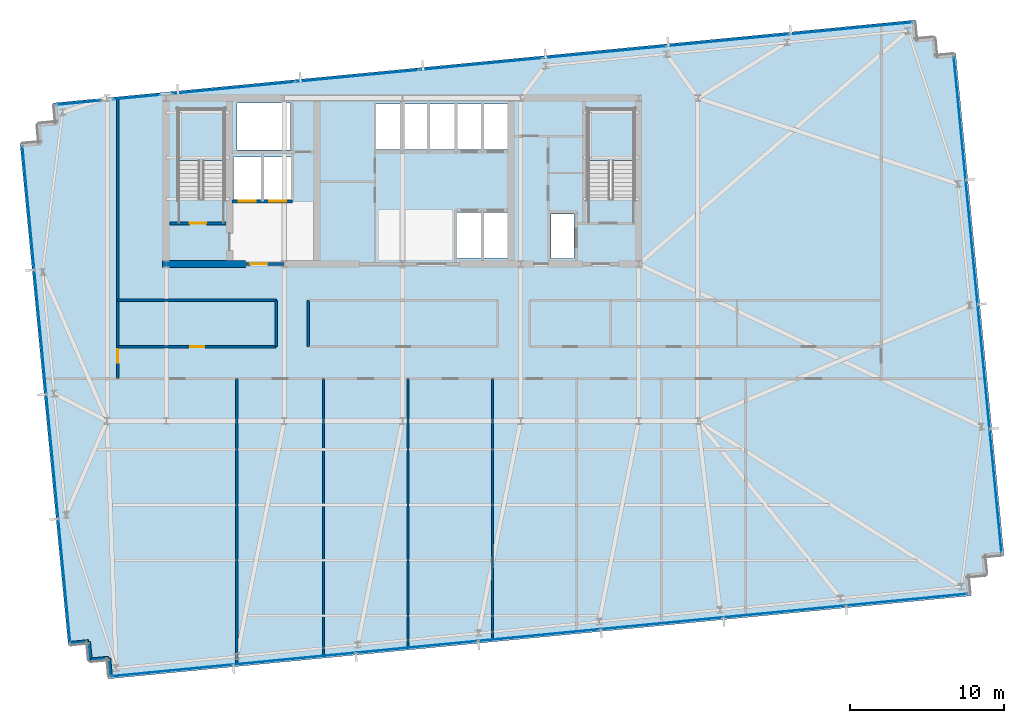
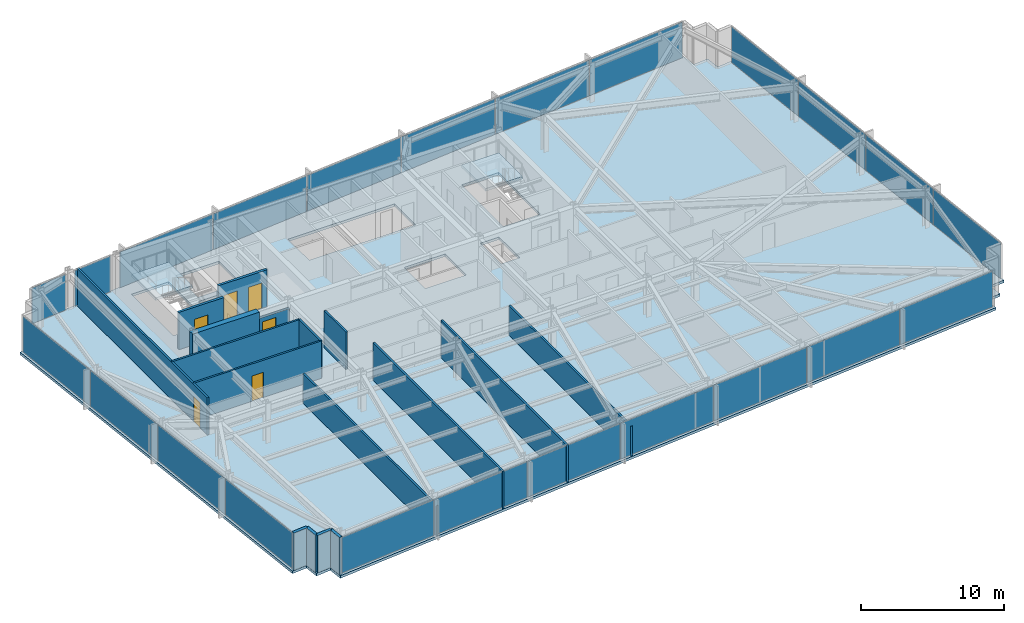
# One storey, part 24 of 32: 23 plates, 17 walls, 6 doors, 3 slabs, 6 openings, 8 elements without a shape of their own.
"""IFC4 building model written with IfcOpenShell, lengths in metres."""

from ifc_helpers import new_model, si_unit, direction, frame, frame_2d, origin, origin_2d, place, context, subcontext, project, spatial, polyline, rectangle, outline, extrude, material, layer, layer_set, type_object, element, fill, aggregate, save


model = new_model("IFC4")

# Units and contexts
model_context = context("Model", 3, precision=1e-05, world=origin(), true_north=direction((0.0, 1.0)))
body_context = subcontext(model_context, "Body", "Model", "MODEL_VIEW")
ifc_project = project(units=[si_unit("LENGTHUNIT", "METRE"), si_unit("AREAUNIT", "SQUARE_METRE"), si_unit("VOLUMEUNIT", "CUBIC_METRE"), si_unit("PLANEANGLEUNIT", "RADIAN"), si_unit("MASSUNIT", "GRAM", prefix="KILO")], contexts=[model_context])

# Site, building, storey
site_placement = place(None, origin())
site = spatial("IfcSite", under=ifc_project, at=site_placement, CompositionType="ELEMENT")
building_placement = place(site_placement, origin())
building = spatial("IfcBuilding", under=site, at=building_placement, Name="Yelkora Congress Tower", CompositionType="ELEMENT")
storey_placement = place(building_placement, frame((0.0, 0.0, 130.5)))
storey = spatial("IfcBuildingStorey", under=building, at=storey_placement, Name="L35", CompositionType="ELEMENT", Elevation=130.5)

# Curtain wall, plates
ifc_material_1 = material(Name="Anodised aluminium and insulated glass", Category="aluminium")
curtain_wall_type = type_object("IfcCurtainWallType", Name="CW-SYS-B2", PredefinedType="NOTDEFINED", material=ifc_material_1)
curtain_wall_1_placement = place(storey_placement, origin())
curtain_wall_1 = element("IfcCurtainWall", 1, at=curtain_wall_1_placement, inside=storey, type_object=curtain_wall_type, Name="L35 Unitised Curtain Wall 5", PredefinedType="NOTDEFINED")
ifc_material_2 = material(Name="Solar-control low-E glass unit B2", Category="glass")
ifc_layer_1 = layer(ifc_material_2, 0.0380859375)
ifc_layer_set_1 = layer_set([ifc_layer_1], Name="Solar-control low-E glass unit B2")
plate_type = type_object("IfcPlateType", Name="PLT-PN-B2", PredefinedType="CURTAIN_PANEL", material=ifc_layer_set_1)
plate_1_placement = place(storey_placement, frame((16.41650390625, 14.820068359375, 0.06494140625), z_axis=(0.0, 0.0, 1.0), x_axis=(-0.095842541913, 0.995396507508, 0.0)))
plate_1 = element("IfcPlate", 2, at=plate_1_placement, type_object=plate_type, Name="CW-B2 panel 1.1", PredefinedType="CURTAIN_PANEL", context=body_context, shape_type="SweptSolid", body=[
    extrude(rectangle(XDim=8.02490234375, YDim=0.0380859375, at=origin_2d()), origin(), (0.0, 0.0, 1.0), 3.050048828125),
])
plate_2_placement = place(storey_placement, frame((15.638916015625, 22.895263671875, 0.06494140625), z_axis=(0.0, 0.0, 1.0), x_axis=(-0.095842541913, 0.995396507508, 0.0)))
plate_2 = element("IfcPlate", 3, at=plate_2_placement, type_object=plate_type, Name="CW-B2 panel 2.1", PredefinedType="CURTAIN_PANEL", context=body_context, shape_type="SweptSolid", body=[
    extrude(rectangle(XDim=8.06005859375, YDim=0.0380859375, at=origin_2d()), origin(), (0.0, 0.0, 1.0), 3.050048828125),
])
plate_3_placement = place(storey_placement, frame((14.859619140625, 30.98779296875, 0.06494140625), z_axis=(0.0, 0.0, 1.0), x_axis=(-0.095842541913, 0.995396507508, 0.0)))
plate_3 = element("IfcPlate", 4, at=plate_3_placement, type_object=plate_type, Name="CW-B2 panel 3.1", PredefinedType="CURTAIN_PANEL", context=body_context, shape_type="SweptSolid", body=[
    extrude(rectangle(XDim=8.06005859375, YDim=0.0380859375, at=origin_2d()), origin(), (0.0, 0.0, 1.0), 3.050048828125),
])
plate_4_placement = place(storey_placement, frame((14.082275390625, 39.06298828125, 0.06494140625), z_axis=(0.0, 0.0, 1.0), x_axis=(-0.095842541913, 0.995396507508, 0.0)))
plate_4 = element("IfcPlate", 5, at=plate_4_placement, type_object=plate_type, Name="CW-B2 panel 4.1", PredefinedType="CURTAIN_PANEL", context=body_context, shape_type="SweptSolid", body=[
    extrude(rectangle(XDim=8.02490234375, YDim=0.0380859375, at=origin_2d()), origin(), (0.0, 0.0, 1.0), 3.050048828125),
])
aggregate(curtain_wall_1, [plate_1, plate_2, plate_3, plate_4])

# Curtain wall, plate
curtain_wall_2_placement = place(storey_placement, origin())
curtain_wall_2 = element("IfcCurtainWall", 6, at=curtain_wall_2_placement, inside=storey, type_object=curtain_wall_type, Name="L35 Unitised Curtain Wall 10 (1)", PredefinedType="NOTDEFINED")
plate_5_placement = place(storey_placement, frame((17.35888671875, 45.89111328125, 0.06494140625), z_axis=(0.0, 0.0, 1.0), x_axis=(0.99539681521, 0.095839346142, 0.0)))
plate_5 = element("IfcPlate", 7, at=plate_5_placement, type_object=plate_type, Name="CW-B2 panel 1.1", PredefinedType="CURTAIN_PANEL", context=body_context, shape_type="SweptSolid", body=[
    extrude(rectangle(XDim=2.89208984375, YDim=0.0380859375, at=origin_2d()), origin(), (0.0, 0.0, 1.0), 3.050048828125),
])
aggregate(curtain_wall_2, [plate_5])

curtain_wall_3_placement = place(storey_placement, origin())
curtain_wall_3 = element("IfcCurtainWall", 8, at=curtain_wall_3_placement, inside=storey, type_object=curtain_wall_type, Name="L35 Unitised Curtain Wall 10 (2)", PredefinedType="NOTDEFINED")
plate_6_placement = place(storey_placement, frame((21.1201171875, 46.253173828125, 0.06494140625), z_axis=(0.0, 0.0, 1.0), x_axis=(0.99539661748, 0.095841399764, 0.0)))
plate_6 = element("IfcPlate", 9, at=plate_6_placement, type_object=plate_type, Name="CW-B2 panel 1.1", PredefinedType="CURTAIN_PANEL", context=body_context, shape_type="SweptSolid", body=[
    extrude(rectangle(XDim=3.05078125, YDim=0.0380859375, at=origin_2d()), origin(), (0.0, 0.0, 1.0), 3.050048828125),
])
aggregate(curtain_wall_3, [plate_6])

# Curtain wall, plates
curtain_wall_4_placement = place(storey_placement, origin())
curtain_wall_4 = element("IfcCurtainWall", 10, at=curtain_wall_4_placement, inside=storey, type_object=curtain_wall_type, Name="L35 Unitised Curtain Wall 10 (3)", PredefinedType="NOTDEFINED")
plate_7_placement = place(storey_placement, frame((27.409423828125, 46.858642578125, 0.06494140625), z_axis=(0.0, 0.0, 1.0), x_axis=(0.995396344153, 0.095844238468, 0.0)))
plate_7 = element("IfcPlate", 11, at=plate_7_placement, type_object=plate_type, Name="CW-B2 panel 1.1", PredefinedType="CURTAIN_PANEL", context=body_context, shape_type="SweptSolid", body=[
    extrude(rectangle(XDim=7.97216796875, YDim=0.0380859375, at=origin_2d()), origin(), (0.0, 0.0, 1.0), 3.050048828125),
])
plate_8_placement = place(storey_placement, frame((35.431884765625, 47.631103515625, 0.06494140625), z_axis=(0.0, 0.0, 1.0), x_axis=(0.995396344153, 0.095844238468, 0.0)))
plate_8 = element("IfcPlate", 12, at=plate_8_placement, type_object=plate_type, Name="CW-B2 panel 2.1", PredefinedType="CURTAIN_PANEL", context=body_context, shape_type="SweptSolid", body=[
    extrude(rectangle(XDim=8.007080078125, YDim=0.0380859375, at=origin_2d()), origin(), (0.0, 0.0, 1.0), 3.050048828125),
])
plate_9_placement = place(storey_placement, frame((43.471923828125, 48.4052734375, 0.06494140625), z_axis=(0.0, 0.0, 1.0), x_axis=(0.995396344153, 0.095844238468, 0.0)))
plate_9 = element("IfcPlate", 13, at=plate_9_placement, type_object=plate_type, Name="CW-B2 panel 3.1", PredefinedType="CURTAIN_PANEL", context=body_context, shape_type="SweptSolid", body=[
    extrude(rectangle(XDim=8.007080078125, YDim=0.0380859375, at=origin_2d()), origin(), (0.0, 0.0, 1.0), 3.050048828125),
])
plate_10_placement = place(storey_placement, frame((51.511962890625, 49.179443359375, 0.06494140625), z_axis=(0.0, 0.0, 1.0), x_axis=(0.995396344153, 0.095844238468, 0.0)))
plate_10 = element("IfcPlate", 14, at=plate_10_placement, type_object=plate_type, Name="CW-B2 panel 4.1", PredefinedType="CURTAIN_PANEL", context=body_context, shape_type="SweptSolid", body=[
    extrude(rectangle(XDim=8.007080078125, YDim=0.0380859375, at=origin_2d()), origin(), (0.0, 0.0, 1.0), 3.050048828125),
])
plate_11_placement = place(storey_placement, frame((59.552001953125, 49.95361328125, 0.06494140625), z_axis=(0.0, 0.0, 1.0), x_axis=(0.995396344153, 0.095844238468, 0.0)))
plate_11 = element("IfcPlate", 15, at=plate_11_placement, type_object=plate_type, Name="CW-B2 panel 5.1", PredefinedType="CURTAIN_PANEL", context=body_context, shape_type="SweptSolid", body=[
    extrude(rectangle(XDim=8.007080078125, YDim=0.0380859375, at=origin_2d()), origin(), (0.0, 0.0, 1.0), 3.050048828125),
])
plate_12_placement = place(storey_placement, frame((67.574462890625, 50.72607421875, 0.06494140625), z_axis=(0.0, 0.0, 1.0), x_axis=(0.995396344153, 0.095844238468, 0.0)))
plate_12 = element("IfcPlate", 16, at=plate_12_placement, type_object=plate_type, Name="CW-B2 panel 6.1", PredefinedType="CURTAIN_PANEL", context=body_context, shape_type="SweptSolid", body=[
    extrude(rectangle(XDim=7.97216796875, YDim=0.0380859375, at=origin_2d()), origin(), (0.0, 0.0, 1.0), 3.050048828125),
])
aggregate(curtain_wall_4, [plate_7, plate_8, plate_9, plate_10, plate_11, plate_12])

curtain_wall_5_placement = place(storey_placement, origin())
curtain_wall_5 = element("IfcCurtainWall", 17, at=curtain_wall_5_placement, inside=storey, type_object=curtain_wall_type, Name="L35 Unitised Curtain Wall 15", PredefinedType="NOTDEFINED")
plate_13_placement = place(storey_placement, frame((74.6220703125, 44.892333984375, 0.06494140625), z_axis=(0.0, 0.0, 1.0), x_axis=(0.095842541913, -0.995396507508, 0.0)))
plate_13 = element("IfcPlate", 18, at=plate_13_placement, type_object=plate_type, Name="CW-B2 panel 1.1", PredefinedType="CURTAIN_PANEL", context=body_context, shape_type="SweptSolid", body=[
    extrude(rectangle(XDim=8.02490234375, YDim=0.0380859375, at=origin_2d()), origin(), (0.0, 0.0, 1.0), 3.050048828125),
])
plate_14_placement = place(storey_placement, frame((75.399658203125, 36.817138671875, 0.06494140625), z_axis=(0.0, 0.0, 1.0), x_axis=(0.095842541913, -0.995396507508, 0.0)))
plate_14 = element("IfcPlate", 19, at=plate_14_placement, type_object=plate_type, Name="CW-B2 panel 2.1", PredefinedType="CURTAIN_PANEL", context=body_context, shape_type="SweptSolid", body=[
    extrude(rectangle(XDim=8.06005859375, YDim=0.0380859375, at=origin_2d()), origin(), (0.0, 0.0, 1.0), 3.050048828125),
])
plate_15_placement = place(storey_placement, frame((76.178955078125, 28.724609375, 0.06494140625), z_axis=(0.0, 0.0, 1.0), x_axis=(0.095842541913, -0.995396507508, 0.0)))
plate_15 = element("IfcPlate", 20, at=plate_15_placement, type_object=plate_type, Name="CW-B2 panel 3.1", PredefinedType="CURTAIN_PANEL", context=body_context, shape_type="SweptSolid", body=[
    extrude(rectangle(XDim=8.06005859375, YDim=0.0380859375, at=origin_2d()), origin(), (0.0, 0.0, 1.0), 3.050048828125),
])
plate_16_placement = place(storey_placement, frame((76.95654296875, 20.6494140625, 0.06494140625), z_axis=(0.0, 0.0, 1.0), x_axis=(0.095842541913, -0.995396507508, 0.0)))
plate_16 = element("IfcPlate", 21, at=plate_16_placement, type_object=plate_type, Name="CW-B2 panel 4.1", PredefinedType="CURTAIN_PANEL", context=body_context, shape_type="SweptSolid", body=[
    extrude(rectangle(XDim=8.02490234375, YDim=0.0380859375, at=origin_2d()), origin(), (0.0, 0.0, 1.0), 3.050048828125),
])
aggregate(curtain_wall_5, [plate_13, plate_14, plate_15, plate_16])

curtain_wall_6_placement = place(storey_placement, origin())
curtain_wall_6 = element("IfcCurtainWall", 22, at=curtain_wall_6_placement, inside=storey, type_object=curtain_wall_type, Name="L35 Unitised Curtain Wall 20", PredefinedType="NOTDEFINED")
plate_17_placement = place(storey_placement, frame((71.1884765625, 13.58154296875, 0.06494140625), z_axis=(0.0, 0.0, 1.0), x_axis=(-0.995396333816, -0.095844345816, 0.0)))
plate_17 = element("IfcPlate", 23, at=plate_17_placement, type_object=plate_type, Name="CW-B2 panel 1.1", PredefinedType="CURTAIN_PANEL", context=body_context, shape_type="SweptSolid", body=[
    extrude(rectangle(XDim=7.89794921875, YDim=0.0380859375, at=origin_2d()), origin(), (0.0, 0.0, 1.0), 3.050048828125),
])
plate_18_placement = place(storey_placement, frame((63.23974609375, 12.816162109375, 0.06494140625), z_axis=(0.0, 0.0, 1.0), x_axis=(-0.995396333816, -0.095844345816, 0.0)))
plate_18 = element("IfcPlate", 24, at=plate_18_placement, type_object=plate_type, Name="CW-B2 panel 2.1", PredefinedType="CURTAIN_PANEL", context=body_context, shape_type="SweptSolid", body=[
    extrude(rectangle(XDim=7.932861328125, YDim=0.0380859375, at=origin_2d()), origin(), (0.0, 0.0, 1.0), 3.050048828125),
])
plate_19_placement = place(storey_placement, frame((55.273681640625, 12.049072265625, 0.06494140625), z_axis=(0.0, 0.0, 1.0), x_axis=(-0.995396333816, -0.095844345816, 0.0)))
plate_19 = element("IfcPlate", 25, at=plate_19_placement, type_object=plate_type, Name="CW-B2 panel 3.1", PredefinedType="CURTAIN_PANEL", context=body_context, shape_type="SweptSolid", body=[
    extrude(rectangle(XDim=7.932861328125, YDim=0.0380859375, at=origin_2d()), origin(), (0.0, 0.0, 1.0), 3.050048828125),
])
plate_20_placement = place(storey_placement, frame((47.307861328125, 11.281982421875, 0.06494140625), z_axis=(0.0, 0.0, 1.0), x_axis=(-0.995396333816, -0.095844345816, 0.0)))
plate_20 = element("IfcPlate", 26, at=plate_20_placement, type_object=plate_type, Name="CW-B2 panel 4.1", PredefinedType="CURTAIN_PANEL", context=body_context, shape_type="SweptSolid", body=[
    extrude(rectangle(XDim=7.932861328125, YDim=0.0380859375, at=origin_2d()), origin(), (0.0, 0.0, 1.0), 3.050048828125),
])
plate_21_placement = place(storey_placement, frame((39.341796875, 10.51513671875, 0.06494140625), z_axis=(0.0, 0.0, 1.0), x_axis=(-0.995396333816, -0.095844345816, 0.0)))
plate_21 = element("IfcPlate", 27, at=plate_21_placement, type_object=plate_type, Name="CW-B2 panel 5.1", PredefinedType="CURTAIN_PANEL", context=body_context, shape_type="SweptSolid", body=[
    extrude(rectangle(XDim=7.932861328125, YDim=0.0380859375, at=origin_2d()), origin(), (0.0, 0.0, 1.0), 3.050048828125),
])
plate_22_placement = place(storey_placement, frame((31.375732421875, 9.748046875, 0.06494140625), z_axis=(0.0, 0.0, 1.0), x_axis=(-0.995396333816, -0.095844345816, 0.0)))
plate_22 = element("IfcPlate", 28, at=plate_22_placement, type_object=plate_type, Name="CW-B2 panel 6.1", PredefinedType="CURTAIN_PANEL", context=body_context, shape_type="SweptSolid", body=[
    extrude(rectangle(XDim=7.932861328125, YDim=0.0380859375, at=origin_2d()), origin(), (0.0, 0.0, 1.0), 3.050048828125),
])
plate_23_placement = place(storey_placement, frame((23.42724609375, 8.982666015625, 0.06494140625), z_axis=(0.0, 0.0, 1.0), x_axis=(-0.995396333816, -0.095844345816, 0.0)))
plate_23 = element("IfcPlate", 29, at=plate_23_placement, type_object=plate_type, Name="CW-B2 panel 7.1", PredefinedType="CURTAIN_PANEL", context=body_context, shape_type="SweptSolid", body=[
    extrude(rectangle(XDim=7.89794921875, YDim=0.0380859375, at=origin_2d()), origin(), (0.0, 0.0, 1.0), 3.050048828125),
])
aggregate(curtain_wall_6, [plate_17, plate_18, plate_19, plate_20, plate_21, plate_22, plate_23])

# Stair, slab
ifc_material_3 = material(Name="Concrete C40/50", Category="concrete")
stair_type = type_object("IfcStairType", Name="STAIR-HT-1420-R20-170", PredefinedType="HALF_TURN_STAIR", material=ifc_material_3)
stair_1_placement = place(storey_placement, origin())
stair_1 = element("IfcStair", 30, at=stair_1_placement, inside=storey, type_object=stair_type, Name="West Core Protected Exit Stair ST-01 (L35)", PredefinedType="HALF_TURN_STAIR")
ifc_layer_2 = layer(ifc_material_3, 0.219970703125)
ifc_layer_set_2 = layer_set([ifc_layer_2], Name="Concrete C40/50")
slab_type_1 = type_object("IfcSlabType", Name="SLAB-LANDING-220", PredefinedType="LANDING", material=ifc_layer_set_2)
slab_1_placement = place(storey_placement, frame((0.0, 0.0, 1.47998046875)))
slab_1 = element("IfcSlab", 31, at=slab_1_placement, type_object=slab_type_1, Name="ST-01 L35 Half Landing 1", PredefinedType="LANDING", context=body_context, shape_type="SweptSolid", body=[
    extrude(outline(polyline([(26.820068359375, 42.1201171875), (26.820068359375, 45.469970703125), (23.820068359375, 45.469970703125), (23.820068359375, 42.1201171875), (26.820068359375, 42.1201171875)])), origin(), (0.0, 0.0, 1.0), 0.219970703125),
])
aggregate(stair_1, [slab_1])

stair_2_placement = place(storey_placement, origin())
stair_2 = element("IfcStair", 32, at=stair_2_placement, inside=storey, type_object=stair_type, Name="East Core Protected Exit Stair ST-02 (L35)", PredefinedType="HALF_TURN_STAIR")
slab_2_placement = place(storey_placement, frame((0.0, 0.0, 1.47998046875)))
slab_2 = element("IfcSlab", 33, at=slab_2_placement, type_object=slab_type_1, Name="ST-02 L35 Half Landing 1", PredefinedType="LANDING", context=body_context, shape_type="SweptSolid", body=[
    extrude(outline(polyline([(53.4599609375, 42.1201171875), (53.4599609375, 45.469970703125), (50.4599609375, 45.469970703125), (50.4599609375, 42.1201171875), (53.4599609375, 42.1201171875)])), origin(), (0.0, 0.0, 1.0), 0.219970703125),
])
aggregate(stair_2, [slab_2])

# Slab
ifc_layer_3 = layer(ifc_material_3, 0.219970703125)
ifc_layer_set_3 = layer_set([ifc_layer_3], Name="Concrete C40/50")
slab_type_2 = type_object("IfcSlabType", Name="SLAB-TWR-220", PredefinedType="FLOOR", material=ifc_layer_set_3)
slab_3_placement = place(storey_placement, frame((0.0, 0.0, -0.219970703125)))
element("IfcSlab", 34, at=slab_3_placement, inside=storey, type_object=slab_type_2, Name="L35 Structural Floor Slab", PredefinedType="FLOOR", context=body_context, shape_type="SweptSolid", body=[
    extrude(outline(polyline([(19.30078125, 8.444580078125), (75.341552734375, 13.8408203125), (75.2265625, 15.035400390625), (76.421142578125, 15.150390625), (76.30615234375, 16.3447265625), (77.50048828125, 16.459716796875), (74.356689453125, 49.10888671875), (73.162353515625, 48.99365234375), (73.04736328125, 50.188232421875), (71.852783203125, 50.0732421875), (71.73779296875, 51.267578125), (15.697021484375, 45.87158203125), (15.81201171875, 44.677001953125), (14.61767578125, 44.56201171875), (14.732666015625, 43.36767578125), (13.5380859375, 43.252685546875), (16.681884765625, 10.603515625), (17.876220703125, 10.718505859375), (17.9912109375, 9.524169921875), (19.185791015625, 9.63916015625), (19.30078125, 8.444580078125)]), holes=[polyline([(23.820068359375, 39.6298828125), (26.820068359375, 39.6298828125), (26.820068359375, 45.469970703125), (23.820068359375, 45.469970703125), (23.820068359375, 39.6298828125)]), polyline([(50.4599609375, 39.6298828125), (53.4599609375, 39.6298828125), (53.4599609375, 45.469970703125), (50.4599609375, 45.469970703125), (50.4599609375, 39.6298828125)]), polyline([(48.050048828125, 35.75), (49.550048828125, 35.75), (49.550048828125, 38.64990234375), (48.050048828125, 38.64990234375), (48.050048828125, 35.75)]), polyline([(36.64990234375, 42.85009765625), (45.25, 42.85009765625), (45.25, 45.800048828125), (36.64990234375, 45.800048828125), (36.64990234375, 42.85009765625)]), polyline([(41.949951171875, 35.800048828125), (45.25, 35.800048828125), (45.25, 38.75), (41.949951171875, 38.75), (41.949951171875, 35.800048828125)]), polyline([(27.419921875, 39.60009765625), (31.179931640625, 39.60009765625), (31.179931640625, 42.35009765625), (27.419921875, 42.35009765625), (27.419921875, 39.60009765625)]), polyline([(27.64990234375, 42.820068359375), (31.1201171875, 42.820068359375), (31.1201171875, 45.8798828125), (27.64990234375, 45.8798828125), (27.64990234375, 42.820068359375)])]), origin(), (0.0, 0.0, 1.0), 0.219970703125),
])

# Walls
ifc_material_4 = material(Name="Concrete C60/75", Category="concrete")
ifc_layer_4 = layer(ifc_material_4, 0.449951171875)
ifc_layer_set_4 = layer_set([ifc_layer_4], Name="Concrete C60/75")
wall_type_1 = type_object("IfcWallType", Name="WALL-CORE-INT-450", PredefinedType="SHEAR", material=ifc_layer_set_4)
wall_1_placement = place(storey_placement, frame((22.81494140625, 35.39990234375, 0.0), z_axis=(0.0, 0.0, 1.0), x_axis=(1.0, 0.0, 0.0)))
element("IfcWall", 35, at=wall_1_placement, inside=storey, type_object=wall_type_1, Name="L35 Rear Core South-West Shear Wall", PredefinedType="SHEAR", context=body_context, shape_type="SweptSolid", body=[
    extrude(rectangle(XDim=5.385009765625, YDim=0.449951171875, at=frame_2d((2.6923828125, 0.0))), origin(), (0.0, 0.0, 1.0), 3.179931640625),
])
ifc_layer_5 = layer(ifc_material_3, 0.239990234375)
ifc_layer_set_5 = layer_set([ifc_layer_5], Name="Concrete C40/50")
wall_type_2 = type_object("IfcWallType", Name="WALL-EXT-LIMESTONE-240", PredefinedType="SOLIDWALL", material=ifc_layer_set_5)
for number, where, z_axis, x_axis, name in (
    (36, (19.4267578125, 8.597412109375, 0.0), (0.0, 0.0, 1.0), (-0.095817067274, 0.995398960025, 0.0), "L35 Serrated Corner Limestone Pier 1"),
    (37, (19.311767578125, 9.7919921875, 0.0), (0.0, 0.0, 1.0), (-0.995398960025, -0.095817067274, 0.0), "L35 Serrated Corner Limestone Pier 2"),
):
    element("IfcWall", number, at=place(storey_placement, frame(where, z_axis=z_axis, x_axis=x_axis)), inside=storey, type_object=wall_type_2, Name=name, PredefinedType="SOLIDWALL", context=body_context, shape_type="SweptSolid", body=[
        extrude(rectangle(XDim=1.2001953125, YDim=0.239990234375, at=frame_2d((0.60009765625, 0.0))), origin(), (0.0, 0.0, 1.0), 3.179931640625),
    ])
wall_2_placement = place(storey_placement, frame((18.1171875, 9.677001953125, 0.0), z_axis=(0.0, 0.0, 1.0), x_axis=(-0.095836473879, 0.995397091755, 0.0)))
element("IfcWall", 38, at=wall_2_placement, inside=storey, type_object=wall_type_2, Name="L35 Serrated Corner Limestone Pier 3", PredefinedType="SOLIDWALL", context=body_context, shape_type="SweptSolid", body=[
    extrude(rectangle(XDim=1.199951171875, YDim=0.239990234375, at=frame_2d((0.60009765625, 0.0))), origin(), (0.0, 0.0, 1.0), 3.179931640625),
])
wall_3_placement = place(storey_placement, frame((18.002197265625, 10.871337890625, 0.0), z_axis=(0.0, 0.0, 1.0), x_axis=(-0.995398960025, -0.095817067274, 0.0)))
element("IfcWall", 39, at=wall_3_placement, inside=storey, type_object=wall_type_2, Name="L35 Serrated Corner Limestone Pier 4", PredefinedType="SOLIDWALL", context=body_context, shape_type="SweptSolid", body=[
    extrude(rectangle(XDim=1.2001953125, YDim=0.239990234375, at=frame_2d((0.60009765625, 0.0))), origin(), (0.0, 0.0, 1.0), 3.179931640625),
])
ifc_material_5 = material(Name="Acoustic metal-stud gypsum partition", Category="gypsum")
ifc_layer_6 = layer(ifc_material_5, 0.14990234375)
ifc_layer_set_6 = layer_set([ifc_layer_6], Name="Acoustic metal-stud gypsum partition")
wall_type_3 = type_object("IfcWallType", Name="WALL-INT-150-NR", PredefinedType="PARTITIONING", material=ifc_layer_set_6)
wall_4_placement = place(storey_placement, frame((27.635009765625, 9.32763671875, 0.0), z_axis=(0.0, 0.0, 1.0), x_axis=(0.0, 1.0, 0.0)))
element("IfcWall", 40, at=wall_4_placement, inside=storey, type_object=wall_type_3, Name="L35 Partition Wall 27", PredefinedType="PARTITIONING", context=body_context, shape_type="SweptSolid", body=[
    extrude(rectangle(XDim=18.642333984375, YDim=0.14990234375, at=frame_2d((9.3212890625, 0.0))), origin(), (0.0, 0.0, 1.0), 2.52490234375),
])
wall_5_placement = place(storey_placement, frame((33.27197265625, 9.870361328125, 0.0), z_axis=(0.0, 0.0, 1.0), x_axis=(0.0, 1.0, 0.0)))
element("IfcWall", 41, at=wall_5_placement, inside=storey, type_object=wall_type_3, Name="L35 Partition Wall 28", PredefinedType="PARTITIONING", context=body_context, shape_type="SweptSolid", body=[
    extrude(rectangle(XDim=18.099609375, YDim=0.14990234375, at=frame_2d((9.0498046875, 0.0))), origin(), (0.0, 0.0, 1.0), 3.179931640625),
])
wall_6_placement = place(storey_placement, frame((38.759033203125, 10.398681640625, 0.0), z_axis=(0.0, 0.0, 1.0), x_axis=(0.0, 1.0, 0.0)))
element("IfcWall", 42, at=wall_6_placement, inside=storey, type_object=wall_type_3, Name="L35 Partition Wall 29", PredefinedType="PARTITIONING", context=body_context, shape_type="SweptSolid", body=[
    extrude(rectangle(XDim=17.5712890625, YDim=0.14990234375, at=frame_2d((8.78564453125, 0.0))), origin(), (0.0, 0.0, 1.0), 3.179931640625),
])
wall_7_placement = place(storey_placement, frame((44.24609375, 10.927001953125, 0.0), z_axis=(0.0, 0.0, 1.0), x_axis=(0.0, 1.0, 0.0)))
element("IfcWall", 43, at=wall_7_placement, inside=storey, type_object=wall_type_3, Name="L35 Partition Wall 30", PredefinedType="PARTITIONING", context=body_context, shape_type="SweptSolid", body=[
    extrude(rectangle(XDim=17.04296875, YDim=0.14990234375, at=frame_2d((8.521484375, 0.0))), origin(), (0.0, 0.0, 1.0), 2.52490234375),
])

# Wall, opening, door
wall_8_placement = place(storey_placement, frame((19.89208984375, 27.949951171875, 0.0), z_axis=(0.0, 0.0, 1.0), x_axis=(0.0, 1.0, 0.0)))
wall_8 = element("IfcWall", 44, at=wall_8_placement, inside=storey, type_object=wall_type_3, Name="L35 Partition Wall 35", PredefinedType="PARTITIONING", context=body_context, shape_type="SweptSolid", body=[
    extrude(rectangle(XDim=18.245361328125, YDim=0.14990234375, at=frame_2d((9.12255859375, 0.0))), origin(), (0.0, 0.0, 1.0), 3.179931640625),
])
opening_1_placement = place(wall_8_placement, frame((1.030029296875, 0.0, 0.0)))
opening_1 = element("IfcOpeningElement", 45, at=opening_1_placement, cuts=wall_8, Name="Opening DR-090N", PredefinedType="OPENING", context=body_context, shape_type="SweptSolid", body=[
    extrude(rectangle(XDim=0.89990234375, YDim=2.14990234375, at=frame_2d((0.449951171875, 1.074951171875))), frame((0.0, 0.0849609375, 0.0), z_axis=(0.0, -1.0, 0.0), x_axis=(1.0, 0.0, 0.0)), (0.0, 0.0, 1.0), 0.169921875),
])
ifc_material_6 = material(Name="Moisture-resistant laminate door leaf", Category="wood")
door_type_1 = type_object("IfcDoorType", Name="DOOR-INT-900", OperationType="NOTDEFINED", PredefinedType="DOOR", material=ifc_material_6)
door_1_placement = place(opening_1_placement, origin())
door_1 = element("IfcDoor", 46, at=door_1_placement, inside=storey, type_object=door_type_1, Name="L35 W Wing Door", OperationType="SINGLE_SWING_LEFT", OverallHeight=2.14990234375, OverallWidth=0.89990234375, PredefinedType="DOOR", context=body_context, shape_type="SweptSolid", body=[
    extrude(rectangle(XDim=0.89990234375, YDim=2.14990234375, at=frame_2d((0.449951171875, 1.074951171875))), frame((0.0, 0.02490234375, 0.0), z_axis=(0.0, -1.0, 0.0), x_axis=(1.0, 0.0, 0.0)), (0.0, 0.0, 1.0), 0.050048828125),
])
fill(opening_1, door_1)

# Walls
for number, where, z_axis, x_axis, name in (
    (47, (30.199951171875, 30.030029296875, 0.0), (0.0, 0.0, 1.0), (0.0, 1.0, 0.0), "L35 Partition Wall 37"),
    (48, (32.280029296875, 30.030029296875, 0.0), (0.0, 0.0, 1.0), (0.0, 1.0, 0.0), "L35 Partition Wall 38"),
):
    element("IfcWall", number, at=place(storey_placement, frame(where, z_axis=z_axis, x_axis=x_axis)), inside=storey, type_object=wall_type_3, Name=name, PredefinedType="PARTITIONING", context=body_context, shape_type="SweptSolid", body=[
        extrude(rectangle(XDim=3.02001953125, YDim=0.14990234375, at=frame_2d((1.510009765625, 0.0))), origin(), (0.0, 0.0, 1.0), 3.179931640625),
    ])
wall_9_placement = place(storey_placement, frame((19.89208984375, 33.050048828125, 0.0), z_axis=(0.0, 0.0, 1.0), x_axis=(1.0, 0.0, 0.0)))
element("IfcWall", 49, at=wall_9_placement, inside=storey, type_object=wall_type_3, Name="L35 Partition Wall 41", PredefinedType="PARTITIONING", context=body_context, shape_type="SweptSolid", body=[
    extrude(rectangle(XDim=10.307861328125, YDim=0.14990234375, at=frame_2d((5.15380859375, 0.0))), origin(), (0.0, 0.0, 1.0), 3.179931640625),
])

# Wall, opening, door
wall_10_placement = place(storey_placement, frame((19.912109375, 30.030029296875, 0.0), z_axis=(0.0, 0.0, 1.0), x_axis=(1.0, 0.0, 0.0)))
wall_10 = element("IfcWall", 50, at=wall_10_placement, inside=storey, type_object=wall_type_3, Name="L35 Partition Wall 44", PredefinedType="PARTITIONING", context=body_context, shape_type="SweptSolid", body=[
    extrude(rectangle(XDim=10.27783203125, YDim=0.14990234375, at=frame_2d((5.138916015625, 0.0))), origin(), (0.0, 0.0, 1.0), 3.179931640625),
])
opening_2_placement = place(wall_10_placement, frame((4.68896484375, 0.0, 0.0)))
opening_2 = element("IfcOpeningElement", 51, at=opening_2_placement, cuts=wall_10, Name="Opening DR-090N", PredefinedType="OPENING", context=body_context, shape_type="SweptSolid", body=[
    extrude(rectangle(XDim=0.89990234375, YDim=2.14990234375, at=frame_2d((0.449951171875, 1.074951171875))), frame((0.0, 0.0849609375, 0.0), z_axis=(0.0, -1.0, 0.0), x_axis=(1.0, 0.0, 0.0)), (0.0, 0.0, 1.0), 0.169921875),
])
door_2_placement = place(opening_2_placement, origin())
door_2 = element("IfcDoor", 52, at=door_2_placement, inside=storey, type_object=door_type_1, Name="L35 Executive Club Bar Door", OperationType="SINGLE_SWING_LEFT", OverallHeight=2.14990234375, OverallWidth=0.89990234375, PredefinedType="DOOR", context=body_context, shape_type="SweptSolid", body=[
    extrude(rectangle(XDim=0.89990234375, YDim=2.14990234375, at=frame_2d((0.449951171875, 1.074951171875))), frame((0.0, 0.02490234375, 0.0), z_axis=(0.0, -1.0, 0.0), x_axis=(1.0, 0.0, 0.0)), (0.0, 0.0, 1.0), 0.050048828125),
])
fill(opening_2, door_2)

ifc_material_7 = material(Name="Autoclaved aerated concrete blockwork", Category="masonry")
ifc_layer_7 = layer(ifc_material_7, 0.199951171875)
ifc_layer_set_7 = layer_set([ifc_layer_7], Name="Autoclaved aerated concrete blockwork")
wall_type_4 = type_object("IfcWallType", Name="WALL-INT-200-R120", PredefinedType="PARTITIONING", material=ifc_layer_set_7)
wall_11_placement = place(storey_placement, frame((23.300048828125, 38.050048828125, 0.0), z_axis=(0.0, 0.0, 1.0), x_axis=(1.0, 0.0, 0.0)))
wall_11 = element("IfcWall", 53, at=wall_11_placement, inside=storey, type_object=wall_type_4, Name="L35 Stair ST-01 Enclosure Wall", PredefinedType="PARTITIONING", context=body_context, shape_type="SweptSolid", body=[
    extrude(rectangle(XDim=3.619873046875, YDim=0.199951171875, at=frame_2d((1.81005859375, 0.0))), origin(), (0.0, 0.0, 1.0), 3.179931640625),
])
opening_3_placement = place(wall_11_placement, frame((1.260009765625, 0.0, 0.0)))
opening_3 = element("IfcOpeningElement", 54, at=opening_3_placement, cuts=wall_11, Name="Opening DR-110F9", PredefinedType="OPENING", context=body_context, shape_type="SweptSolid", body=[
    extrude(rectangle(XDim=1.10009765625, YDim=2.14990234375, at=frame_2d((0.550048828125, 1.074951171875))), frame((0.0, 0.10986328125, 0.0), z_axis=(0.0, -1.0, 0.0), x_axis=(1.0, 0.0, 0.0)), (0.0, 0.0, 1.0), 0.219970703125),
])
ifc_material_8 = material(Name="Galvanised steel fire door leaf", Category="steel")
door_type_2 = type_object("IfcDoorType", Name="DOOR-FD90-1100", OperationType="NOTDEFINED", PredefinedType="DOOR", material=ifc_material_8)
door_3_placement = place(opening_3_placement, origin())
door_3 = element("IfcDoor", 55, at=door_3_placement, inside=storey, type_object=door_type_2, Name="L35 Stair ST-01 Entry Door", OperationType="SINGLE_SWING_LEFT", OverallHeight=2.14990234375, OverallWidth=1.10009765625, PredefinedType="DOOR", context=body_context, shape_type="SweptSolid", body=[
    extrude(rectangle(XDim=1.10009765625, YDim=2.14990234375, at=frame_2d((0.550048828125, 1.074951171875))), frame((0.0, 0.02490234375, 0.0), z_axis=(0.0, -1.0, 0.0), x_axis=(1.0, 0.0, 0.0)), (0.0, 0.0, 1.0), 0.050048828125),
])
fill(opening_3, door_3)

wall_12_placement = place(storey_placement, frame((28.219970703125, 35.39990234375, 0.0), z_axis=(0.0, 0.0, 1.0), x_axis=(1.0, 0.0, 0.0)))
wall_12 = element("IfcWall", 56, at=wall_12_placement, inside=storey, type_object=wall_type_4, Name="L35 Firefighting Lobby South Wall", PredefinedType="PARTITIONING", context=body_context, shape_type="SweptSolid", body=[
    extrude(rectangle(XDim=2.5, YDim=0.199951171875, at=frame_2d((1.25, 0.0))), origin(), (0.0, 0.0, 1.0), 2.52490234375),
])
opening_4_placement = place(wall_12_placement, frame((0.300048828125, 0.0, 0.0)))
opening_4 = element("IfcOpeningElement", 57, at=opening_4_placement, cuts=wall_12, Name="Opening DR-110F9", PredefinedType="OPENING", context=body_context, shape_type="SweptSolid", body=[
    extrude(rectangle(XDim=1.10009765625, YDim=2.14990234375, at=frame_2d((0.550048828125, 1.074951171875))), frame((0.0, 0.10986328125, 0.0), z_axis=(0.0, -1.0, 0.0), x_axis=(1.0, 0.0, 0.0)), (0.0, 0.0, 1.0), 0.219970703125),
])
door_4_placement = place(opening_4_placement, origin())
door_4 = element("IfcDoor", 58, at=door_4_placement, inside=storey, type_object=door_type_2, Name="L35 Firefighting Lobby Corridor Door", OperationType="SINGLE_SWING_RIGHT", OverallHeight=2.14990234375, OverallWidth=1.10009765625, PredefinedType="DOOR", context=body_context, shape_type="SweptSolid", body=[
    extrude(rectangle(XDim=1.10009765625, YDim=2.14990234375, at=frame_2d((0.550048828125, 1.074951171875))), frame((0.0, 0.02490234375, 0.0), z_axis=(0.0, -1.0, 0.0), x_axis=(1.0, 0.0, 0.0)), (0.0, 0.0, 1.0), 0.050048828125),
])
fill(opening_4, door_4)

# Wall, openings, doors
wall_13_placement = place(storey_placement, frame((27.320068359375, 39.47998046875, 0.0), z_axis=(0.0, 0.0, 1.0), x_axis=(1.0, 0.0, 0.0)))
wall_13 = element("IfcWall", 59, at=wall_13_placement, inside=storey, type_object=wall_type_4, Name="L35 Firefighting Lift Front Wall", PredefinedType="PARTITIONING", context=body_context, shape_type="SweptSolid", body=[
    extrude(rectangle(XDim=3.93994140625, YDim=0.199951171875, at=frame_2d((1.969970703125, 0.0))), origin(), (0.0, 0.0, 1.0), 3.179931640625),
])
opening_5_placement = place(wall_13_placement, frame((0.449951171875, 0.0, 0.0)))
opening_5 = element("IfcOpeningElement", 60, at=opening_5_placement, cuts=wall_13, Name="Opening LD-FF11", PredefinedType="OPENING", context=body_context, shape_type="SweptSolid", body=[
    extrude(rectangle(XDim=1.10009765625, YDim=2.199951171875, at=frame_2d((0.550048828125, 1.10009765625))), frame((0.0, 0.10986328125, 0.0), z_axis=(0.0, -1.0, 0.0), x_axis=(1.0, 0.0, 0.0)), (0.0, 0.0, 1.0), 0.219970703125),
])
opening_6_placement = place(wall_13_placement, frame((2.409912109375, 0.0, 0.0)))
opening_6 = element("IfcOpeningElement", 61, at=opening_6_placement, cuts=wall_13, Name="Opening LD-FF11", PredefinedType="OPENING", context=body_context, shape_type="SweptSolid", body=[
    extrude(rectangle(XDim=1.10009765625, YDim=2.199951171875, at=frame_2d((0.550048828125, 1.10009765625))), frame((0.0, 0.10986328125, 0.0), z_axis=(0.0, -1.0, 0.0), x_axis=(1.0, 0.0, 0.0)), (0.0, 0.0, 1.0), 0.219970703125),
])
ifc_material_9 = material(Name="Brushed stainless steel 316L landing door", Category="steel")
door_type_3 = type_object("IfcDoorType", Name="DOOR-LIFT-FF-1100", OperationType="DOUBLE_DOOR_SLIDING", PredefinedType="DOOR", material=ifc_material_9)
door_5_placement = place(opening_5_placement, origin())
door_5 = element("IfcDoor", 62, at=door_5_placement, inside=storey, type_object=door_type_3, Name="Lift Landing Door LF-FF1 L35", OperationType="DOUBLE_DOOR_SLIDING", OverallHeight=2.199951171875, OverallWidth=1.10009765625, PredefinedType="DOOR", context=body_context, shape_type="SweptSolid", body=[
    extrude(rectangle(XDim=1.10009765625, YDim=2.199951171875, at=frame_2d((0.550048828125, 1.10009765625))), frame((0.0, 0.02490234375, 0.0), z_axis=(0.0, -1.0, 0.0), x_axis=(1.0, 0.0, 0.0)), (0.0, 0.0, 1.0), 0.050048828125),
])
fill(opening_5, door_5)
door_6_placement = place(opening_6_placement, origin())
door_6 = element("IfcDoor", 63, at=door_6_placement, inside=storey, type_object=door_type_3, Name="Lift Landing Door LF-FF2 L35", OperationType="DOUBLE_DOOR_SLIDING", OverallHeight=2.199951171875, OverallWidth=1.10009765625, PredefinedType="DOOR", context=body_context, shape_type="SweptSolid", body=[
    extrude(rectangle(XDim=1.10009765625, YDim=2.199951171875, at=frame_2d((0.550048828125, 1.10009765625))), frame((0.0, 0.02490234375, 0.0), z_axis=(0.0, -1.0, 0.0), x_axis=(1.0, 0.0, 0.0)), (0.0, 0.0, 1.0), 0.050048828125),
])
fill(opening_6, door_6)

save(model, "model.ifc")
